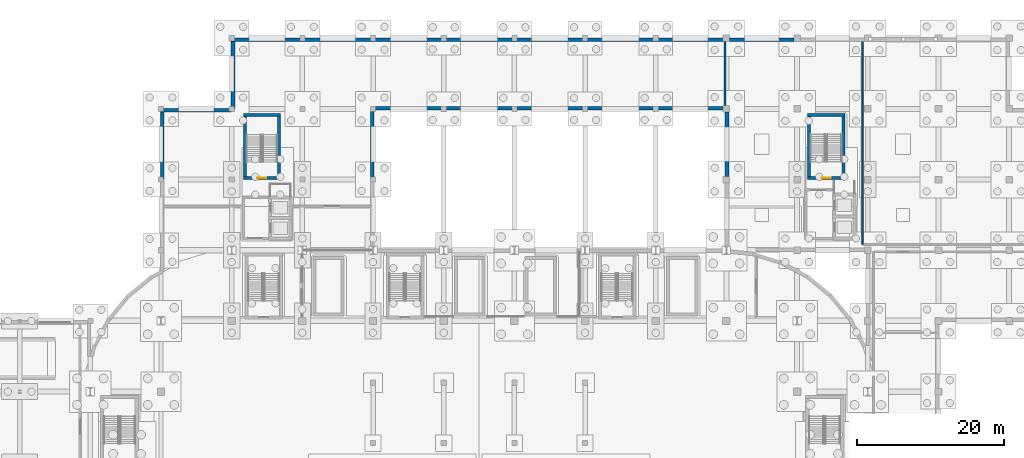
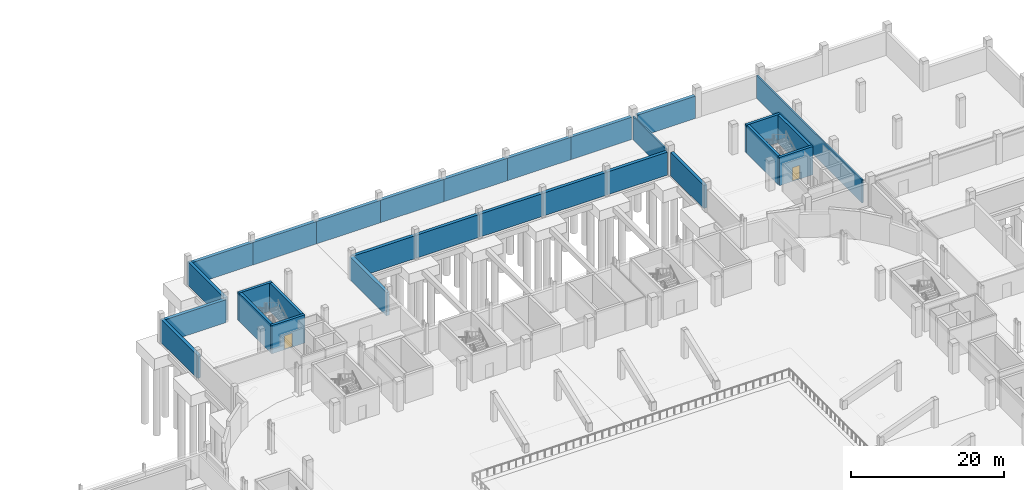
# One storey, part 36 of 67: 28 walls, 2 doors, 2 openings.
"""IFC4 building model written with IfcOpenShell, lengths in metres."""

from ifc_helpers import new_model, si_unit, direction, frame, frame_2d, origin, place, context, subcontext, project, spatial, rectangle, extrude, material, layer, layer_set, type_object, element, fill, save


model = new_model("IFC4")

# Units and contexts
model_context = context("Model", 3, precision=1e-05, world=origin(), true_north=direction((0.0, 1.0)))
body_context = subcontext(model_context, "Body", "Model", "MODEL_VIEW")
ifc_project = project(units=[si_unit("LENGTHUNIT", "METRE"), si_unit("AREAUNIT", "SQUARE_METRE"), si_unit("VOLUMEUNIT", "CUBIC_METRE"), si_unit("PLANEANGLEUNIT", "RADIAN"), si_unit("MASSUNIT", "GRAM", prefix="KILO")], contexts=[model_context])

# Site, building, storey
site_placement = place(None, origin())
site = spatial("IfcSite", under=ifc_project, at=site_placement, CompositionType="ELEMENT")
building_placement = place(site_placement, origin())
building = spatial("IfcBuilding", under=site, at=building_placement, Name="Caelomonte Colonnade Arena", CompositionType="ELEMENT")
storey_placement = place(building_placement, frame((0.0, 0.0, -4.800048828125)))
storey = spatial("IfcBuildingStorey", under=building, at=storey_placement, Name="B1", CompositionType="ELEMENT", Elevation=-4.800048828125)

# Walls
ifc_material_1 = material(Name="Concrete C40/50", Category="concrete")
ifc_layer_1 = layer(ifc_material_1, 0.47998046875)
ifc_layer_set_1 = layer_set([ifc_layer_1], Name="Concrete C40/50")
wall_type_1 = type_object("IfcWallType", Name="ENV-WL-RET48", PredefinedType="USERDEFINED", material=ifc_layer_set_1)
wall_1_placement = place(storey_placement, frame((153.169921875, 143.820068359375, 0.0), z_axis=(0.0, 0.0, 1.0), x_axis=(-1.0, 0.0, 0.0)))
element("IfcWall", 1, at=wall_1_placement, inside=storey, type_object=wall_type_1, Name="B1 exterior retaining plinth wall EW-B1-0052", ObjectType="RETAINING WALL", PredefinedType="USERDEFINED", context=body_context, shape_type="SweptSolid", body=[
    extrude(rectangle(XDim=8.739990234375, YDim=0.47998046875, at=frame_2d((4.3701171875, 0.0))), origin(), (0.0, 0.0, 1.0), 3.572998046875),
])
wall_2_placement = place(storey_placement, frame((143.570068359375, 143.820068359375, 0.0), z_axis=(0.0, 0.0, 1.0), x_axis=(-1.0, 0.0, 0.0)))
element("IfcWall", 2, at=wall_2_placement, inside=storey, type_object=wall_type_1, Name="B1 exterior retaining plinth wall EW-B1-0053", ObjectType="RETAINING WALL", PredefinedType="USERDEFINED", context=body_context, shape_type="SweptSolid", body=[
    extrude(rectangle(XDim=9.170166015625, YDim=0.47998046875, at=frame_2d((4.5849609375, 0.0))), origin(), (0.0, 0.0, 1.0), 3.572998046875),
])
wall_3_placement = place(storey_placement, frame((134.39990234375, 143.820068359375, 0.0), z_axis=(0.0, 0.0, 1.0), x_axis=(-1.0, 0.0, 0.0)))
element("IfcWall", 3, at=wall_3_placement, inside=storey, type_object=wall_type_1, Name="B1 exterior retaining plinth wall EW-B1-0054", ObjectType="RETAINING WALL", PredefinedType="USERDEFINED", context=body_context, shape_type="SweptSolid", body=[
    extrude(rectangle(XDim=9.599853515625, YDim=0.47998046875, at=frame_2d((4.7998046875, 0.0))), origin(), (0.0, 0.0, 1.0), 3.572998046875),
])
wall_4_placement = place(storey_placement, frame((124.800048828125, 143.820068359375, 0.0), z_axis=(0.0, 0.0, 1.0), x_axis=(-1.0, 0.0, 0.0)))
element("IfcWall", 4, at=wall_4_placement, inside=storey, type_object=wall_type_1, Name="B1 exterior retaining plinth wall EW-B1-0055", ObjectType="RETAINING WALL", PredefinedType="USERDEFINED", context=body_context, shape_type="SweptSolid", body=[
    extrude(rectangle(XDim=9.60009765625, YDim=0.47998046875, at=frame_2d((4.800048828125, 0.0))), origin(), (0.0, 0.0, 1.0), 3.572998046875),
])
wall_5_placement = place(storey_placement, frame((115.199951171875, 143.820068359375, 0.0), z_axis=(0.0, 0.0, 1.0), x_axis=(-1.0, 0.0, 0.0)))
element("IfcWall", 5, at=wall_5_placement, inside=storey, type_object=wall_type_1, Name="B1 exterior retaining plinth wall EW-B1-0056", ObjectType="RETAINING WALL", PredefinedType="USERDEFINED", context=body_context, shape_type="SweptSolid", body=[
    extrude(rectangle(XDim=9.599853515625, YDim=0.47998046875, at=frame_2d((4.7998046875, 0.0))), origin(), (0.0, 0.0, 1.0), 3.572998046875),
])
for number, where, z_axis, x_axis, name in (
    (6, (105.60009765625, 143.820068359375, 0.0), (0.0, 0.0, 1.0), (-1.0, 0.0, 0.0), "B1 exterior retaining plinth wall EW-B1-0057"),
    (7, (96.0, 143.820068359375, 0.0), (0.0, 0.0, 1.0), (-1.0, 0.0, 0.0), "B1 exterior retaining plinth wall EW-B1-0058"),
):
    element("IfcWall", number, at=place(storey_placement, frame(where, z_axis=z_axis, x_axis=x_axis)), inside=storey, type_object=wall_type_1, Name=name, ObjectType="RETAINING WALL", PredefinedType="USERDEFINED", context=body_context, shape_type="SweptSolid", body=[
        extrude(rectangle(XDim=9.60009765625, YDim=0.47998046875, at=frame_2d((4.800048828125, 0.0))), origin(), (0.0, 0.0, 1.0), 3.572998046875),
    ])
wall_6_placement = place(storey_placement, frame((86.39990234375, 143.820068359375, 0.0), z_axis=(0.0, 0.0, 1.0), x_axis=(-1.0, 0.0, 0.0)))
element("IfcWall", 8, at=wall_6_placement, inside=storey, type_object=wall_type_1, Name="B1 exterior retaining plinth wall EW-B1-0059", ObjectType="RETAINING WALL", PredefinedType="USERDEFINED", context=body_context, shape_type="SweptSolid", body=[
    extrude(rectangle(XDim=9.599853515625, YDim=0.47998046875, at=frame_2d((4.7998046875, 0.0))), origin(), (0.0, 0.0, 1.0), 3.572998046875),
])
wall_7_placement = place(storey_placement, frame((76.97998046875, 144.0, 0.0), z_axis=(0.0, 0.0, 1.0), x_axis=(0.0, -1.0, 0.0)))
element("IfcWall", 9, at=wall_7_placement, inside=storey, type_object=wall_type_1, Name="B1 exterior retaining plinth wall EW-B1-0060", ObjectType="RETAINING WALL", PredefinedType="USERDEFINED", context=body_context, shape_type="SweptSolid", body=[
    extrude(rectangle(XDim=9.60009765625, YDim=0.47998046875, at=frame_2d((4.800048828125, 0.0))), origin(), (0.0, 0.0, 1.0), 3.699951171875),
])
wall_8_placement = place(storey_placement, frame((76.800048828125, 134.219970703125, 0.0), z_axis=(0.0, 0.0, 1.0), x_axis=(-1.0, 0.0, 0.0)))
element("IfcWall", 10, at=wall_8_placement, inside=storey, type_object=wall_type_1, Name="B1 exterior retaining plinth wall EW-B1-0061", ObjectType="RETAINING WALL", PredefinedType="USERDEFINED", context=body_context, shape_type="SweptSolid", body=[
    extrude(rectangle(XDim=9.60009765625, YDim=0.47998046875, at=frame_2d((4.800048828125, 0.0))), origin(), (0.0, 0.0, 1.0), 3.654296875),
])
wall_9_placement = place(storey_placement, frame((67.3798828125, 134.39990234375, 0.0), z_axis=(0.0, 0.0, 1.0), x_axis=(0.0, -1.0, 0.0)))
element("IfcWall", 11, at=wall_9_placement, inside=storey, type_object=wall_type_1, Name="B1 exterior retaining plinth wall EW-B1-0062", ObjectType="RETAINING WALL", PredefinedType="USERDEFINED", context=body_context, shape_type="SweptSolid", body=[
    extrude(rectangle(XDim=9.599853515625, YDim=0.47998046875, at=frame_2d((4.7998046875, 0.0))), origin(), (0.0, 0.0, 1.0), 3.699951171875),
])
wall_10_placement = place(storey_placement, frame((96.0, 134.47998046875, 0.0), z_axis=(0.0, 0.0, 1.0), x_axis=(1.0, 0.0, 0.0)))
element("IfcWall", 12, at=wall_10_placement, inside=storey, type_object=wall_type_1, Name="B1 exterior retaining plinth wall EW-B1-0086", ObjectType="RETAINING WALL", PredefinedType="USERDEFINED", context=body_context, shape_type="SweptSolid", body=[
    extrude(rectangle(XDim=9.60009765625, YDim=0.47998046875, at=frame_2d((4.800048828125, 0.0))), origin(), (0.0, 0.0, 1.0), 3.654296875),
])
wall_11_placement = place(storey_placement, frame((105.60009765625, 134.47998046875, 0.0), z_axis=(0.0, 0.0, 1.0), x_axis=(1.0, 0.0, 0.0)))
element("IfcWall", 13, at=wall_11_placement, inside=storey, type_object=wall_type_1, Name="B1 exterior retaining plinth wall EW-B1-0087", ObjectType="RETAINING WALL", PredefinedType="USERDEFINED", context=body_context, shape_type="SweptSolid", body=[
    extrude(rectangle(XDim=9.599853515625, YDim=0.47998046875, at=frame_2d((4.7998046875, 0.0))), origin(), (0.0, 0.0, 1.0), 3.654296875),
])
wall_12_placement = place(storey_placement, frame((115.199951171875, 134.47998046875, 0.0), z_axis=(0.0, 0.0, 1.0), x_axis=(1.0, 0.0, 0.0)))
element("IfcWall", 14, at=wall_12_placement, inside=storey, type_object=wall_type_1, Name="B1 exterior retaining plinth wall EW-B1-0088", ObjectType="RETAINING WALL", PredefinedType="USERDEFINED", context=body_context, shape_type="SweptSolid", body=[
    extrude(rectangle(XDim=9.60009765625, YDim=0.47998046875, at=frame_2d((4.800048828125, 0.0))), origin(), (0.0, 0.0, 1.0), 3.654296875),
])
wall_13_placement = place(storey_placement, frame((124.800048828125, 134.47998046875, 0.0), z_axis=(0.0, 0.0, 1.0), x_axis=(1.0, 0.0, 0.0)))
element("IfcWall", 15, at=wall_13_placement, inside=storey, type_object=wall_type_1, Name="B1 exterior retaining plinth wall EW-B1-0089", ObjectType="RETAINING WALL", PredefinedType="USERDEFINED", context=body_context, shape_type="SweptSolid", body=[
    extrude(rectangle(XDim=9.599853515625, YDim=0.47998046875, at=frame_2d((4.7998046875, 0.0))), origin(), (0.0, 0.0, 1.0), 3.654296875),
])
wall_14_placement = place(storey_placement, frame((134.39990234375, 134.47998046875, 0.0), z_axis=(0.0, 0.0, 1.0), x_axis=(1.0, 0.0, 0.0)))
element("IfcWall", 16, at=wall_14_placement, inside=storey, type_object=wall_type_1, Name="B1 exterior retaining plinth wall EW-B1-0090", ObjectType="RETAINING WALL", PredefinedType="USERDEFINED", context=body_context, shape_type="SweptSolid", body=[
    extrude(rectangle(XDim=9.170166015625, YDim=0.47998046875, at=frame_2d((4.5849609375, 0.0))), origin(), (0.0, 0.0, 1.0), 3.654296875),
])
wall_15_placement = place(storey_placement, frame((144.080078125, 133.969970703125, 0.0), z_axis=(0.0, 0.0, 1.0), x_axis=(0.0, -1.0, 0.0)))
element("IfcWall", 17, at=wall_15_placement, inside=storey, type_object=wall_type_1, Name="B1 exterior retaining plinth wall EW-B1-0091", ObjectType="RETAINING WALL", PredefinedType="USERDEFINED", context=body_context, shape_type="SweptSolid", body=[
    extrude(rectangle(XDim=8.739990234375, YDim=0.47998046875, at=frame_2d((4.3701171875, 0.0))), origin(), (0.0, 0.0, 1.0), 3.699951171875),
])
wall_16_placement = place(storey_placement, frame((95.919921875, 124.800048828125, 0.0), z_axis=(0.0, 0.0, 1.0), x_axis=(0.0, 1.0, 0.0)))
element("IfcWall", 18, at=wall_16_placement, inside=storey, type_object=wall_type_1, Name="B1 exterior retaining plinth wall EW-B1-0109", ObjectType="RETAINING WALL", PredefinedType="USERDEFINED", context=body_context, shape_type="SweptSolid", body=[
    extrude(rectangle(XDim=9.599853515625, YDim=0.47998046875, at=frame_2d((4.7998046875, 0.0))), origin(), (0.0, 0.0, 1.0), 3.699951171875),
])
ifc_material_2 = material(Name="Acoustic masonry blockwork", Category="masonry")
ifc_layer_2 = layer(ifc_material_2, 0.219970703125)
ifc_layer_set_2 = layer_set([ifc_layer_2], Name="Acoustic masonry blockwork")
wall_type_2 = type_object("IfcWallType", Name="INT-WL-PT22", PredefinedType="PARTITIONING", material=ifc_layer_set_2)
wall_17_placement = place(storey_placement, frame((143.800048828125, 143.514892578125, 0.0), z_axis=(0.0, 0.0, 1.0), x_axis=(0.0, -1.0, 0.0)))
element("IfcWall", 19, at=wall_17_placement, inside=storey, type_object=wall_type_2, Name="B1 Central Commissary Kitchen partition 39", PredefinedType="PARTITIONING", context=body_context, shape_type="SweptSolid", body=[
    extrude(rectangle(XDim=8.6298828125, YDim=0.219970703125, at=frame_2d((4.31494140625, 0.0))), origin(), (0.0, 0.0, 1.0), 3.699951171875),
])
wall_18_placement = place(storey_placement, frame((162.5, 116.0, 0.0), z_axis=(0.0, 0.0, 1.0), x_axis=(0.0, 1.0, 0.0)))
element("IfcWall", 20, at=wall_18_placement, inside=storey, type_object=wall_type_2, Name="B1 Central Chiller Plant partition 43", PredefinedType="PARTITIONING", context=body_context, shape_type="SweptSolid", body=[
    extrude(rectangle(XDim=27.60009765625, YDim=0.219970703125, at=frame_2d((13.800048828125, 0.0))), origin(), (0.0, 0.0, 1.0), 3.654296875),
])

# Wall, opening, door
ifc_material_3 = material(Name="Concrete C50/60", Category="concrete")
ifc_layer_3 = layer(ifc_material_3, 0.39990234375)
ifc_layer_set_3 = layer_set([ifc_layer_3], Name="Concrete C50/60")
wall_type_3 = type_object("IfcWallType", Name="INT-WL-SH40", PredefinedType="SHEAR", material=ifc_layer_set_3)
wall_19_placement = place(storey_placement, frame((155.0, 125.0, 0.0), z_axis=(0.0, 0.0, 1.0), x_axis=(1.0, 0.0, 0.0)))
wall_19 = element("IfcWall", 21, at=wall_19_placement, inside=storey, type_object=wall_type_3, Name="CW-C6-ST B1 south enclosure wall", PredefinedType="SHEAR", context=body_context, shape_type="SweptSolid", body=[
    extrude(rectangle(XDim=5.10009765625, YDim=0.39990234375, at=frame_2d((2.550048828125, 0.0))), origin(), (0.0, 0.0, 1.0), 4.5),
])
opening_1_placement = place(wall_19_placement, frame((3.14990234375, 0.0, 0.0), z_axis=(0.0, 0.0, 1.0), x_axis=(-1.0, 0.0, 0.0)))
opening_1 = element("IfcOpeningElement", 22, at=opening_1_placement, cuts=wall_19, Name="Opening FD-1", PredefinedType="OPENING", context=body_context, shape_type="SweptSolid", body=[
    extrude(rectangle(XDim=1.199951171875, YDim=2.199951171875, at=frame_2d((0.60009765625, 1.10009765625))), frame((0.0, 0.2099609375, 0.0), z_axis=(0.0, -1.0, 0.0), x_axis=(1.0, 0.0, 0.0)), (0.0, 0.0, 1.0), 0.419921875),
])
ifc_material_4 = material(Name="Fire-rated steel door", Category="steel")
door_type = type_object("IfcDoorType", Name="INT-DR-FD90A", OperationType="NOTDEFINED", PredefinedType="DOOR", material=ifc_material_4)
door_1_placement = place(opening_1_placement, origin())
door_1 = element("IfcDoor", 23, at=door_1_placement, inside=storey, type_object=door_type, Name="Core C6 B1 exit stair fire door", OperationType="SINGLE_SWING_RIGHT", OverallHeight=2.199951171875, OverallWidth=1.199951171875, PredefinedType="DOOR", context=body_context, shape_type="SweptSolid", body=[
    extrude(rectangle(XDim=1.199951171875, YDim=2.199951171875, at=frame_2d((0.60009765625, 1.10009765625))), frame((0.0, 0.02490234375, 0.0), z_axis=(0.0, -1.0, 0.0), x_axis=(1.0, 0.0, 0.0)), (0.0, 0.0, 1.0), 0.050048828125),
])
fill(opening_1, door_1)

# Walls
wall_20_placement = place(storey_placement, frame((160.10009765625, 133.550048828125, 0.0), z_axis=(0.0, 0.0, 1.0), x_axis=(-1.0, 0.0, 0.0)))
element("IfcWall", 24, at=wall_20_placement, inside=storey, type_object=wall_type_3, Name="CW-C6-ST B1 north enclosure wall", PredefinedType="SHEAR", context=body_context, shape_type="SweptSolid", body=[
    extrude(rectangle(XDim=5.10009765625, YDim=0.39990234375, at=frame_2d((2.550048828125, 0.0))), origin(), (0.0, 0.0, 1.0), 4.5),
])
for number, where, z_axis, x_axis, name in (
    (25, (155.199951171875, 133.35009765625, 0.0), (0.0, 0.0, 1.0), (0.0, -1.0, 0.0), "CW-C6-ST B1 west enclosure wall"),
    (26, (159.89990234375, 125.199951171875, 0.0), (0.0, 0.0, 1.0), (0.0, 1.0, 0.0), "CW-C6-ST B1 east enclosure wall"),
):
    element("IfcWall", number, at=place(storey_placement, frame(where, z_axis=z_axis, x_axis=x_axis)), inside=storey, type_object=wall_type_3, Name=name, PredefinedType="SHEAR", context=body_context, shape_type="SweptSolid", body=[
        extrude(rectangle(XDim=8.150146484375, YDim=0.39990234375, at=frame_2d((4.0751953125, 0.0))), origin(), (0.0, 0.0, 1.0), 4.5),
    ])

# Wall, opening, door
wall_21_placement = place(storey_placement, frame((78.39990234375, 125.0, 0.0), z_axis=(0.0, 0.0, 1.0), x_axis=(1.0, 0.0, 0.0)))
wall_21 = element("IfcWall", 27, at=wall_21_placement, inside=storey, type_object=wall_type_3, Name="CW-C7-ST B1 south enclosure wall", PredefinedType="SHEAR", context=body_context, shape_type="SweptSolid", body=[
    extrude(rectangle(XDim=5.0, YDim=0.39990234375, at=frame_2d((2.5, 0.0))), origin(), (0.0, 0.0, 1.0), 4.5),
])
opening_2_placement = place(wall_21_placement, frame((3.099853515625, 0.0, 0.0), z_axis=(0.0, 0.0, 1.0), x_axis=(-1.0, 0.0, 0.0)))
opening_2 = element("IfcOpeningElement", 28, at=opening_2_placement, cuts=wall_21, Name="Opening FD-1", PredefinedType="OPENING", context=body_context, shape_type="SweptSolid", body=[
    extrude(rectangle(XDim=1.199951171875, YDim=2.199951171875, at=frame_2d((0.60009765625, 1.10009765625))), frame((0.0, 0.2099609375, 0.0), z_axis=(0.0, -1.0, 0.0), x_axis=(1.0, 0.0, 0.0)), (0.0, 0.0, 1.0), 0.419921875),
])
door_2_placement = place(opening_2_placement, origin())
door_2 = element("IfcDoor", 29, at=door_2_placement, inside=storey, type_object=door_type, Name="Core C7 B1 exit stair fire door", OperationType="SINGLE_SWING_LEFT", OverallHeight=2.199951171875, OverallWidth=1.199951171875, PredefinedType="DOOR", context=body_context, shape_type="SweptSolid", body=[
    extrude(rectangle(XDim=1.199951171875, YDim=2.199951171875, at=frame_2d((0.60009765625, 1.10009765625))), frame((0.0, 0.02490234375, 0.0), z_axis=(0.0, -1.0, 0.0), x_axis=(1.0, 0.0, 0.0)), (0.0, 0.0, 1.0), 0.050048828125),
])
fill(opening_2, door_2)

# Walls
wall_22_placement = place(storey_placement, frame((83.39990234375, 133.550048828125, 0.0), z_axis=(0.0, 0.0, 1.0), x_axis=(-1.0, 0.0, 0.0)))
element("IfcWall", 30, at=wall_22_placement, inside=storey, type_object=wall_type_3, Name="CW-C7-ST B1 north enclosure wall", PredefinedType="SHEAR", context=body_context, shape_type="SweptSolid", body=[
    extrude(rectangle(XDim=5.0, YDim=0.39990234375, at=frame_2d((2.5, 0.0))), origin(), (0.0, 0.0, 1.0), 4.5),
])
for number, where, z_axis, x_axis, name in (
    (31, (78.60009765625, 133.35009765625, 0.0), (0.0, 0.0, 1.0), (0.0, -1.0, 0.0), "CW-C7-ST B1 west enclosure wall"),
    (32, (83.199951171875, 125.199951171875, 0.0), (0.0, 0.0, 1.0), (0.0, 1.0, 0.0), "CW-C7-ST B1 east enclosure wall"),
):
    element("IfcWall", number, at=place(storey_placement, frame(where, z_axis=z_axis, x_axis=x_axis)), inside=storey, type_object=wall_type_3, Name=name, PredefinedType="SHEAR", context=body_context, shape_type="SweptSolid", body=[
        extrude(rectangle(XDim=8.150146484375, YDim=0.39990234375, at=frame_2d((4.0751953125, 0.0))), origin(), (0.0, 0.0, 1.0), 4.5),
    ])

save(model, "model.ifc")
